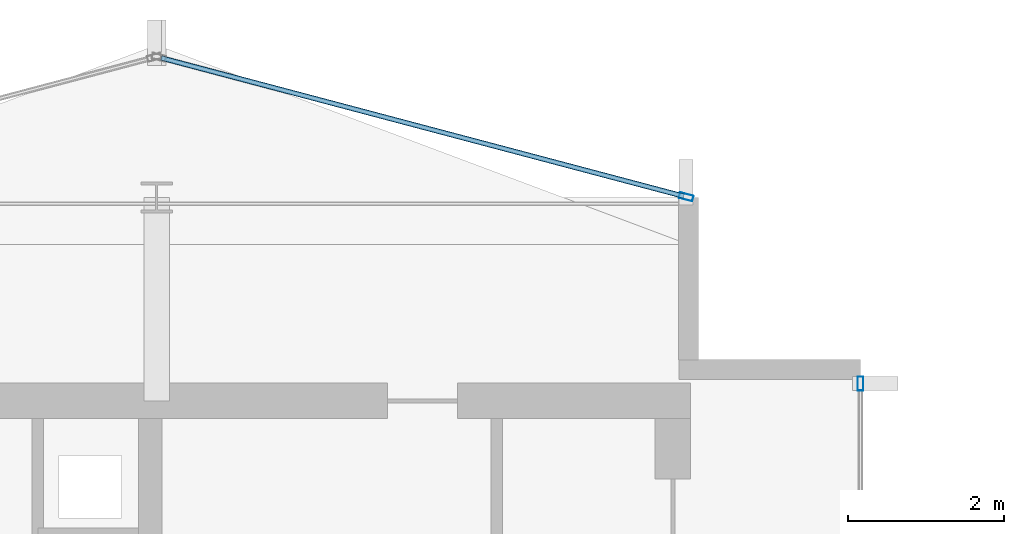
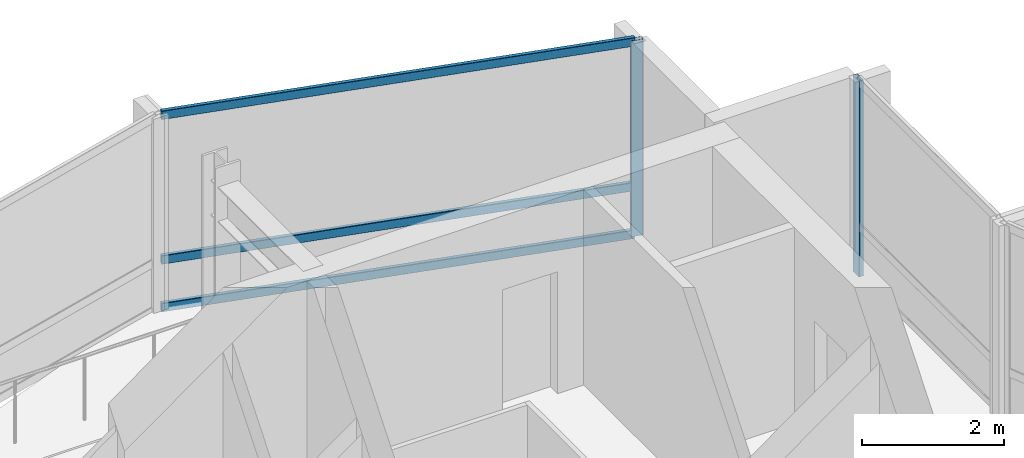
# One storey, part 18 of 27: 5 members, 2 elements without a shape of their own.
"""IFC4 building model written with IfcOpenShell, lengths in metres."""

from ifc_helpers import new_model, si_unit, direction, frame, origin, origin_2d, place, context, subcontext, project, spatial, hollow_rectangle, extrude, material, layer, layer_set, material_profile, profile_set, type_object, element, aggregate, save


model = new_model("IFC4")

# Units and contexts
model_context = context("Model", 3, precision=1e-05, world=origin(), true_north=direction((0.0, 1.0)))
body_context = subcontext(model_context, "Body", "Model", "MODEL_VIEW")
ifc_project = project(units=[si_unit("LENGTHUNIT", "METRE"), si_unit("AREAUNIT", "SQUARE_METRE"), si_unit("VOLUMEUNIT", "CUBIC_METRE"), si_unit("PLANEANGLEUNIT", "RADIAN"), si_unit("MASSUNIT", "GRAM", prefix="KILO")], contexts=[model_context])

# Site, building, storey
site_placement = place(None, origin())
site = spatial("IfcSite", under=ifc_project, at=site_placement, CompositionType="ELEMENT")
building_placement = place(site_placement, origin())
building = spatial("IfcBuilding", under=site, at=building_placement, Name="Solvaryn Broadcast Tower", CompositionType="ELEMENT")
storey_placement = place(building_placement, frame((0.0, 0.0, 232.10009765625)))
storey = spatial("IfcBuildingStorey", under=building, at=storey_placement, Name="L58", CompositionType="ELEMENT", Elevation=232.10009765625)

# Curtain wall, member
ifc_material_1 = material(Name="Aluminium and Terracotta Unitised Curtain Wall", Category="masonry")
ifc_layer = layer(ifc_material_1, 0.199951171875)
ifc_layer_set = layer_set([ifc_layer], Name="CW-SYS2-LOWMID")
curtain_wall_type = type_object("IfcCurtainWallType", Name="CW-SYS2-LOWMID", PredefinedType="NOTDEFINED", material=ifc_layer_set)
curtain_wall_1_placement = place(storey_placement, origin())
curtain_wall_1 = element("IfcCurtainWall", 1, at=curtain_wall_1_placement, inside=storey, type_object=curtain_wall_type, Name="L58 Curtain Wall IV", PredefinedType="NOTDEFINED")
ifc_material_2 = material(Name="Anodised Aluminium 6063-T6", Category="aluminium")
ifc_material_profile_1 = material_profile(ifc_material_2, hollow_rectangle(XDim=0.074951171875, YDim=0.179931640625, WallThickness=0.00390625, InnerFilletRadius=0.00390625, OuterFilletRadius=0.008056640625, at=origin_2d()))
ifc_profile_set_1 = profile_set([ifc_material_profile_1], Name="Anodised Aluminium 6063-T6")
member_type_1 = type_object("IfcMemberType", Name="CW-MUL-180", PredefinedType="MULLION", material=ifc_profile_set_1)
member_1_placement = place(storey_placement, frame((27.0, 42.6201171875, 0.0), z_axis=(0.0, 0.0, 1.0), x_axis=(1.0, 0.0, 0.0)))
member_1 = element("IfcMember", 2, at=member_1_placement, type_object=member_type_1, Name="CWS2 mullion 1", PredefinedType="MULLION", context=body_context, shape_type="SweptSolid", body=[
    extrude(hollow_rectangle(XDim=0.074951171875, YDim=0.179931640625, WallThickness=0.00390625, InnerFilletRadius=0.00390625, OuterFilletRadius=0.008056640625, at=origin_2d()), origin(), (0.0, 0.0, 1.0), 3.369873046875),
])
aggregate(curtain_wall_1, [member_1])

# Curtain wall, members
curtain_wall_2_placement = place(storey_placement, origin())
curtain_wall_2 = element("IfcCurtainWall", 3, at=curtain_wall_2_placement, inside=storey, type_object=curtain_wall_type, Name="L58 Curtain Wall NT1", PredefinedType="NOTDEFINED")
member_2_placement = place(storey_placement, frame((24.77099609375, 45.007568359375, 0.0), z_axis=(0.0, 0.0, 1.0), x_axis=(-0.25589256031, -0.966705227863, 0.0)))
member_2 = element("IfcMember", 4, at=member_2_placement, type_object=member_type_1, Name="CWS2 mullion 1", PredefinedType="MULLION", context=body_context, shape_type="SweptSolid", body=[
    extrude(hollow_rectangle(XDim=0.074951171875, YDim=0.179931640625, WallThickness=0.00390625, InnerFilletRadius=0.00390625, OuterFilletRadius=0.008056640625, at=origin_2d()), origin(), (0.0, 0.0, 1.0), 3.369873046875),
])
ifc_material_3 = material(Name="Anodised Aluminium 6063-T6", Category="aluminium")
ifc_material_profile_2 = material_profile(ifc_material_3, hollow_rectangle(XDim=0.06494140625, YDim=0.14990234375, WallThickness=0.00390625, InnerFilletRadius=0.00390625, OuterFilletRadius=0.008056640625, at=origin_2d()))
ifc_profile_set_2 = profile_set([ifc_material_profile_2], Name="Anodised Aluminium 6063-T6")
member_type_2 = type_object("IfcMemberType", Name="CW-TRN-150", PredefinedType="USERDEFINED", material=ifc_profile_set_2)
member_3_placement = place(storey_placement, frame((24.741943359375, 45.015380859375, 0.02978515625), z_axis=(-0.966703943301, 0.255897413051, 0.0), x_axis=(-0.255897413051, -0.966703943301, 0.0)))
member_3 = element("IfcMember", 5, at=member_3_placement, type_object=member_type_2, Name="CWS2 transom 1.1", ObjectType="TRANSOM", PredefinedType="USERDEFINED", context=body_context, shape_type="SweptSolid", body=[
    extrude(hollow_rectangle(XDim=0.06494140625, YDim=0.14990234375, WallThickness=0.00390625, InnerFilletRadius=0.00390625, OuterFilletRadius=0.008056640625, at=origin_2d()), origin(), (0.0, 0.0, 1.0), 6.9140625),
])
member_4_placement = place(storey_placement, frame((24.741943359375, 45.015380859375, 0.849853515625), z_axis=(-0.966703943301, 0.255897413051, 0.0), x_axis=(-0.255897413051, -0.966703943301, 0.0)))
member_4 = element("IfcMember", 6, at=member_4_placement, type_object=member_type_2, Name="CWS2 transom 1.2", ObjectType="TRANSOM", PredefinedType="USERDEFINED", context=body_context, shape_type="SweptSolid", body=[
    extrude(hollow_rectangle(XDim=0.06494140625, YDim=0.14990234375, WallThickness=0.00390625, InnerFilletRadius=0.00390625, OuterFilletRadius=0.008056640625, at=origin_2d()), origin(), (0.0, 0.0, 1.0), 6.9140625),
])
member_5_placement = place(storey_placement, frame((24.741943359375, 45.015380859375, 3.33984375), z_axis=(-0.966703943301, 0.255897413051, 0.0), x_axis=(-0.255897413051, -0.966703943301, 0.0)))
member_5 = element("IfcMember", 7, at=member_5_placement, type_object=member_type_2, Name="CWS2 transom 1.3", ObjectType="TRANSOM", PredefinedType="USERDEFINED", context=body_context, shape_type="SweptSolid", body=[
    extrude(hollow_rectangle(XDim=0.06494140625, YDim=0.14990234375, WallThickness=0.00390625, InnerFilletRadius=0.00390625, OuterFilletRadius=0.008056640625, at=origin_2d()), origin(), (0.0, 0.0, 1.0), 6.9140625),
])
aggregate(curtain_wall_2, [member_2, member_3, member_4, member_5])

save(model, "model.ifc")
